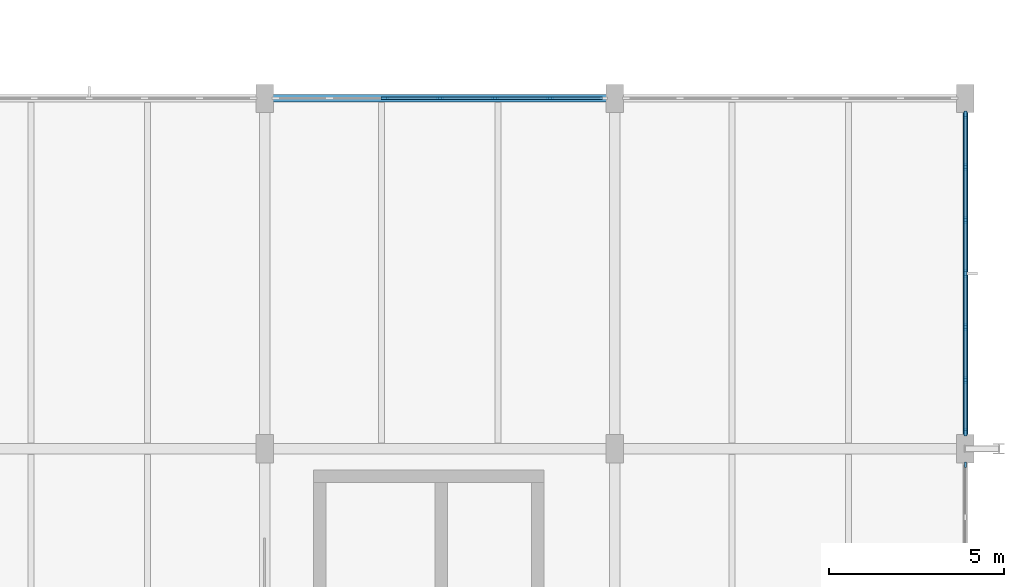
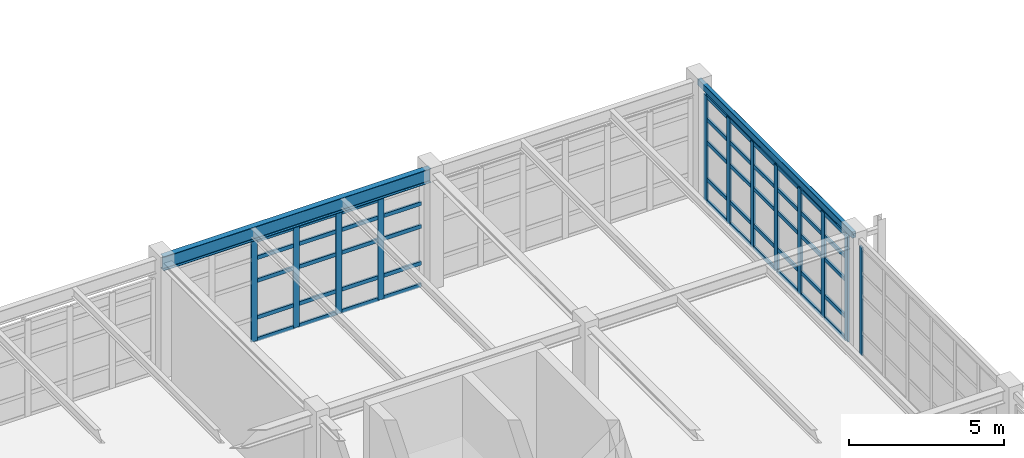
# One storey, part 77 of 139: 61 members, 2 beams, 3 elements without a shape of their own.
"""IFC4 building model written with IfcOpenShell, lengths in metres."""

from ifc_helpers import new_model, si_unit, direction, frame, origin, origin_2d, place, context, subcontext, project, spatial, rectangle, hollow_rectangle, i_section, extrude, material, layer, layer_set, material_profile, profile_set, type_object, element, aggregate, save


model = new_model("IFC4")

# Units and contexts
model_context = context("Model", 3, precision=1e-05, world=origin(), true_north=direction((0.0, 1.0)))
body_context = subcontext(model_context, "Body", "Model", "MODEL_VIEW")
ifc_project = project(units=[si_unit("LENGTHUNIT", "METRE"), si_unit("AREAUNIT", "SQUARE_METRE"), si_unit("VOLUMEUNIT", "CUBIC_METRE"), si_unit("PLANEANGLEUNIT", "RADIAN"), si_unit("MASSUNIT", "GRAM", prefix="KILO"), si_unit("THERMODYNAMICTEMPERATUREUNIT", "KELVIN"), si_unit("POWERUNIT", "WATT")], contexts=[model_context])

# Site, building, storey
site_placement = place(None, origin())
site = spatial("IfcSite", under=ifc_project, at=site_placement, CompositionType="ELEMENT")
building_placement = place(site_placement, origin())
building = spatial("IfcBuilding", under=site, at=building_placement, Name="Korenveer Ferry Terminal", CompositionType="ELEMENT")
storey_placement = place(building_placement, frame((0.0, 0.0, 5.39990234375)))
storey = spatial("IfcBuildingStorey", under=building, at=storey_placement, Name="L01", CompositionType="ELEMENT", Elevation=5.39990234375)

# Curtain wall, member
ifc_material_1 = material(Name="Unitised bronze-and-glass curtain wall", Category="glass")
ifc_layer_1 = layer(ifc_material_1, 0.159912109375)
ifc_layer_set_1 = layer_set([ifc_layer_1], Name="Unitised bronze-and-glass curtain wall")
curtain_wall_type_1 = type_object("IfcCurtainWallType", Name="ENV-CW-81", PredefinedType="USERDEFINED", material=ifc_layer_set_1)
curtain_wall_1_placement = place(storey_placement, frame((176.0, 69.570068359375, 0.0)))
curtain_wall_1 = element("IfcCurtainWall", 1, at=curtain_wall_1_placement, inside=storey, type_object=curtain_wall_type_1, Name="Lancet curtain wall CWX-L01-X176-176-Y60-70", ObjectType="UNITISED CURTAIN WALL", PredefinedType="USERDEFINED")
ifc_material_2 = material(Name="Anodised bronze aluminium", Category="aluminium")
ifc_material_profile_1 = material_profile(ifc_material_2, rectangle(XDim=0.06005859375, YDim=0.159912109375, at=origin_2d()), Name="ALU 60x160")
ifc_profile_set_1 = profile_set([ifc_material_profile_1], Name="Anodised bronze aluminium")
member_type_1 = type_object("IfcMemberType", Name="ENV-CWM-60X160", PredefinedType="MULLION", material=ifc_profile_set_1)
member_1_placement = place(storey_placement, frame((176.0, 69.5400390625, 0.0), z_axis=(0.0, 0.0, 1.0), x_axis=(1.0, 0.0, 0.0)))
member_1 = element("IfcMember", 2, at=member_1_placement, type_object=member_type_1, Name="CW-81 mullion 1", PredefinedType="MULLION", context=body_context, shape_type="SweptSolid", body=[
    extrude(rectangle(XDim=0.06005859375, YDim=0.159912109375, at=origin_2d()), origin(), (0.0, 0.0, 1.0), 4.27001953125),
])
aggregate(curtain_wall_1, [member_1])

# Curtain wall, members
ifc_layer_2 = layer(ifc_material_1, 0.219970703125)
ifc_layer_set_2 = layer_set([ifc_layer_2], Name="Unitised bronze-and-glass curtain wall")
curtain_wall_type_2 = type_object("IfcCurtainWallType", Name="ENV-CW-49", PredefinedType="USERDEFINED", material=ifc_layer_set_2)
curtain_wall_2_placement = place(storey_placement, frame((156.280029296875, 80.0, 0.0)))
curtain_wall_2 = element("IfcCurtainWall", 3, at=curtain_wall_2_placement, inside=storey, type_object=curtain_wall_type_2, Name="Lancet curtain wall CWX-L01-X156-166-Y80-80", ObjectType="UNITISED CURTAIN WALL", PredefinedType="USERDEFINED")
ifc_material_profile_2 = material_profile(ifc_material_2, rectangle(XDim=0.074951171875, YDim=0.219970703125, at=origin_2d()), Name="ALU 75x220")
ifc_profile_set_2 = profile_set([ifc_material_profile_2], Name="Anodised bronze aluminium")
member_type_2 = type_object("IfcMemberType", Name="ENV-CWM-75X220", PredefinedType="MULLION", material=ifc_profile_set_2)
member_2_placement = place(storey_placement, frame((159.4267578125, 80.0, 0.0), z_axis=(0.0, 0.0, 1.0), x_axis=(0.0, 1.0, 0.0)))
member_2 = element("IfcMember", 4, at=member_2_placement, type_object=member_type_2, Name="CW-49 mullion 3", PredefinedType="MULLION", context=body_context, shape_type="SweptSolid", body=[
    extrude(rectangle(XDim=0.074951171875, YDim=0.219970703125, at=origin_2d()), origin(), (0.0, 0.0, 1.0), 3.97021484375),
])
member_3_placement = place(storey_placement, frame((161.0, 80.0, 0.0), z_axis=(0.0, 0.0, 1.0), x_axis=(0.0, 1.0, 0.0)))
member_3 = element("IfcMember", 5, at=member_3_placement, type_object=member_type_2, Name="CW-49 mullion 4", PredefinedType="MULLION", context=body_context, shape_type="SweptSolid", body=[
    extrude(rectangle(XDim=0.074951171875, YDim=0.219970703125, at=origin_2d()), origin(), (0.0, 0.0, 1.0), 3.97021484375),
])
member_4_placement = place(storey_placement, frame((162.5732421875, 80.0, 0.0), z_axis=(0.0, 0.0, 1.0), x_axis=(0.0, 1.0, 0.0)))
member_4 = element("IfcMember", 6, at=member_4_placement, type_object=member_type_2, Name="CW-49 mullion 5", PredefinedType="MULLION", context=body_context, shape_type="SweptSolid", body=[
    extrude(rectangle(XDim=0.074951171875, YDim=0.219970703125, at=origin_2d()), origin(), (0.0, 0.0, 1.0), 3.97021484375),
])
member_5_placement = place(storey_placement, frame((164.146728515625, 80.0, 0.0), z_axis=(0.0, 0.0, 1.0), x_axis=(0.0, 1.0, 0.0)))
member_5 = element("IfcMember", 7, at=member_5_placement, type_object=member_type_2, Name="CW-49 mullion 6", PredefinedType="MULLION", context=body_context, shape_type="SweptSolid", body=[
    extrude(rectangle(XDim=0.074951171875, YDim=0.219970703125, at=origin_2d()), origin(), (0.0, 0.0, 1.0), 3.97021484375),
])

ifc_layer_3 = layer(ifc_material_1, 0.219970703125)
ifc_layer_set_3 = layer_set([ifc_layer_3], Name="Unitised bronze-and-glass curtain wall")
curtain_wall_type_3 = type_object("IfcCurtainWallType", Name="ENV-CW-61", PredefinedType="USERDEFINED", material=ifc_layer_set_3)
curtain_wall_3_placement = place(storey_placement, frame((176.0, 79.570068359375, 0.0)))
curtain_wall_3 = element("IfcCurtainWall", 8, at=curtain_wall_3_placement, inside=storey, type_object=curtain_wall_type_3, Name="Lancet curtain wall CWX-L01-X176-176-Y70-80", ObjectType="UNITISED CURTAIN WALL", PredefinedType="USERDEFINED")
member_6_placement = place(storey_placement, frame((176.0, 79.532470703125, 0.0), z_axis=(0.0, 0.0, 1.0), x_axis=(1.0, 0.0, 0.0)))
member_6 = element("IfcMember", 9, at=member_6_placement, type_object=member_type_2, Name="CW-61 mullion 1", PredefinedType="MULLION", context=body_context, shape_type="SweptSolid", body=[
    extrude(rectangle(XDim=0.074951171875, YDim=0.219970703125, at=origin_2d()), origin(), (0.0, 0.0, 1.0), 4.170166015625),
])
member_7_placement = place(storey_placement, frame((176.0, 78.046630859375, 0.0), z_axis=(0.0, 0.0, 1.0), x_axis=(1.0, 0.0, 0.0)))
member_7 = element("IfcMember", 10, at=member_7_placement, type_object=member_type_2, Name="CW-61 mullion 2", PredefinedType="MULLION", context=body_context, shape_type="SweptSolid", body=[
    extrude(rectangle(XDim=0.074951171875, YDim=0.219970703125, at=origin_2d()), origin(), (0.0, 0.0, 1.0), 4.170166015625),
])
member_8_placement = place(storey_placement, frame((176.0, 76.5234375, 0.0), z_axis=(0.0, 0.0, 1.0), x_axis=(1.0, 0.0, 0.0)))
member_8 = element("IfcMember", 11, at=member_8_placement, type_object=member_type_2, Name="CW-61 mullion 3", PredefinedType="MULLION", context=body_context, shape_type="SweptSolid", body=[
    extrude(rectangle(XDim=0.074951171875, YDim=0.219970703125, at=origin_2d()), origin(), (0.0, 0.0, 1.0), 4.170166015625),
])
member_9_placement = place(storey_placement, frame((176.0, 75.0, 0.0), z_axis=(0.0, 0.0, 1.0), x_axis=(1.0, 0.0, 0.0)))
member_9 = element("IfcMember", 12, at=member_9_placement, type_object=member_type_2, Name="CW-61 mullion 4", PredefinedType="MULLION", context=body_context, shape_type="SweptSolid", body=[
    extrude(rectangle(XDim=0.074951171875, YDim=0.219970703125, at=origin_2d()), origin(), (0.0, 0.0, 1.0), 4.170166015625),
])
member_10_placement = place(storey_placement, frame((176.0, 73.4765625, 0.0), z_axis=(0.0, 0.0, 1.0), x_axis=(1.0, 0.0, 0.0)))
member_10 = element("IfcMember", 13, at=member_10_placement, type_object=member_type_2, Name="CW-61 mullion 5", PredefinedType="MULLION", context=body_context, shape_type="SweptSolid", body=[
    extrude(rectangle(XDim=0.074951171875, YDim=0.219970703125, at=origin_2d()), origin(), (0.0, 0.0, 1.0), 4.170166015625),
])
member_11_placement = place(storey_placement, frame((176.0, 71.953369140625, 0.0), z_axis=(0.0, 0.0, 1.0), x_axis=(1.0, 0.0, 0.0)))
member_11 = element("IfcMember", 14, at=member_11_placement, type_object=member_type_2, Name="CW-61 mullion 6", PredefinedType="MULLION", context=body_context, shape_type="SweptSolid", body=[
    extrude(rectangle(XDim=0.074951171875, YDim=0.219970703125, at=origin_2d()), origin(), (0.0, 0.0, 1.0), 4.170166015625),
])
member_12_placement = place(storey_placement, frame((176.0, 70.467529296875, 0.0), z_axis=(0.0, 0.0, 1.0), x_axis=(1.0, 0.0, 0.0)))
member_12 = element("IfcMember", 15, at=member_12_placement, type_object=member_type_2, Name="CW-61 mullion 7", PredefinedType="MULLION", context=body_context, shape_type="SweptSolid", body=[
    extrude(rectangle(XDim=0.074951171875, YDim=0.219970703125, at=origin_2d()), origin(), (0.0, 0.0, 1.0), 4.170166015625),
])

# Member
ifc_material_profile_3 = material_profile(ifc_material_2, rectangle(XDim=0.074951171875, YDim=0.14990234375, at=origin_2d()), Name="ALU 75x150")
ifc_profile_set_3 = profile_set([ifc_material_profile_3], Name="Anodised bronze aluminium")
member_type_3 = type_object("IfcMemberType", Name="ENV-CWT-75X150", PredefinedType="USERDEFINED", material=ifc_profile_set_3)
member_13_placement = place(storey_placement, frame((159.464111328125, 80.0, 0.03759765625), z_axis=(1.0, 0.0, 0.0), x_axis=(0.0, 1.0, 0.0)))
member_13 = element("IfcMember", 16, at=member_13_placement, type_object=member_type_3, Name="CW-49 transom 3.1", ObjectType="TRANSOM", PredefinedType="USERDEFINED", context=body_context, shape_type="SweptSolid", body=[
    extrude(rectangle(XDim=0.074951171875, YDim=0.14990234375, at=origin_2d()), origin(), (0.0, 0.0, 1.0), 1.498291015625),
])

member_14_placement = place(storey_placement, frame((159.464111328125, 80.0, 0.900146484375), z_axis=(1.0, 0.0, 0.0), x_axis=(0.0, 1.0, 0.0)))
member_14 = element("IfcMember", 17, at=member_14_placement, type_object=member_type_3, Name="CW-49 transom 3.2", ObjectType="TRANSOM", PredefinedType="USERDEFINED", context=body_context, shape_type="SweptSolid", body=[
    extrude(rectangle(XDim=0.074951171875, YDim=0.14990234375, at=origin_2d()), origin(), (0.0, 0.0, 1.0), 1.498291015625),
])

member_15_placement = place(storey_placement, frame((159.464111328125, 80.0, 2.35009765625), z_axis=(1.0, 0.0, 0.0), x_axis=(0.0, 1.0, 0.0)))
member_15 = element("IfcMember", 18, at=member_15_placement, type_object=member_type_3, Name="CW-49 transom 3.3", ObjectType="TRANSOM", PredefinedType="USERDEFINED", context=body_context, shape_type="SweptSolid", body=[
    extrude(rectangle(XDim=0.074951171875, YDim=0.14990234375, at=origin_2d()), origin(), (0.0, 0.0, 1.0), 1.498291015625),
])

member_16_placement = place(storey_placement, frame((159.464111328125, 80.0, 3.25), z_axis=(1.0, 0.0, 0.0), x_axis=(0.0, 1.0, 0.0)))
member_16 = element("IfcMember", 19, at=member_16_placement, type_object=member_type_3, Name="CW-49 transom 3.4", ObjectType="TRANSOM", PredefinedType="USERDEFINED", context=body_context, shape_type="SweptSolid", body=[
    extrude(rectangle(XDim=0.074951171875, YDim=0.14990234375, at=origin_2d()), origin(), (0.0, 0.0, 1.0), 1.498291015625),
])

member_17_placement = place(storey_placement, frame((159.464111328125, 80.0, 3.9326171875), z_axis=(1.0, 0.0, 0.0), x_axis=(0.0, 1.0, 0.0)))
member_17 = element("IfcMember", 20, at=member_17_placement, type_object=member_type_3, Name="CW-49 transom 3.5", ObjectType="TRANSOM", PredefinedType="USERDEFINED", context=body_context, shape_type="SweptSolid", body=[
    extrude(rectangle(XDim=0.074951171875, YDim=0.14990234375, at=origin_2d()), origin(), (0.0, 0.0, 1.0), 1.498291015625),
])

member_18_placement = place(storey_placement, frame((161.03759765625, 80.0, 0.03759765625), z_axis=(1.0, 0.0, 0.0), x_axis=(0.0, 1.0, 0.0)))
member_18 = element("IfcMember", 21, at=member_18_placement, type_object=member_type_3, Name="CW-49 transom 4.1", ObjectType="TRANSOM", PredefinedType="USERDEFINED", context=body_context, shape_type="SweptSolid", body=[
    extrude(rectangle(XDim=0.074951171875, YDim=0.14990234375, at=origin_2d()), origin(), (0.0, 0.0, 1.0), 1.498291015625),
])

member_19_placement = place(storey_placement, frame((161.03759765625, 80.0, 0.900146484375), z_axis=(1.0, 0.0, 0.0), x_axis=(0.0, 1.0, 0.0)))
member_19 = element("IfcMember", 22, at=member_19_placement, type_object=member_type_3, Name="CW-49 transom 4.2", ObjectType="TRANSOM", PredefinedType="USERDEFINED", context=body_context, shape_type="SweptSolid", body=[
    extrude(rectangle(XDim=0.074951171875, YDim=0.14990234375, at=origin_2d()), origin(), (0.0, 0.0, 1.0), 1.498291015625),
])

member_20_placement = place(storey_placement, frame((161.03759765625, 80.0, 2.35009765625), z_axis=(1.0, 0.0, 0.0), x_axis=(0.0, 1.0, 0.0)))
member_20 = element("IfcMember", 23, at=member_20_placement, type_object=member_type_3, Name="CW-49 transom 4.3", ObjectType="TRANSOM", PredefinedType="USERDEFINED", context=body_context, shape_type="SweptSolid", body=[
    extrude(rectangle(XDim=0.074951171875, YDim=0.14990234375, at=origin_2d()), origin(), (0.0, 0.0, 1.0), 1.498291015625),
])

member_21_placement = place(storey_placement, frame((161.03759765625, 80.0, 3.25), z_axis=(1.0, 0.0, 0.0), x_axis=(0.0, 1.0, 0.0)))
member_21 = element("IfcMember", 24, at=member_21_placement, type_object=member_type_3, Name="CW-49 transom 4.4", ObjectType="TRANSOM", PredefinedType="USERDEFINED", context=body_context, shape_type="SweptSolid", body=[
    extrude(rectangle(XDim=0.074951171875, YDim=0.14990234375, at=origin_2d()), origin(), (0.0, 0.0, 1.0), 1.498291015625),
])

member_22_placement = place(storey_placement, frame((161.03759765625, 80.0, 3.9326171875), z_axis=(1.0, 0.0, 0.0), x_axis=(0.0, 1.0, 0.0)))
member_22 = element("IfcMember", 25, at=member_22_placement, type_object=member_type_3, Name="CW-49 transom 4.5", ObjectType="TRANSOM", PredefinedType="USERDEFINED", context=body_context, shape_type="SweptSolid", body=[
    extrude(rectangle(XDim=0.074951171875, YDim=0.14990234375, at=origin_2d()), origin(), (0.0, 0.0, 1.0), 1.498291015625),
])

member_23_placement = place(storey_placement, frame((162.61083984375, 80.0, 0.03759765625), z_axis=(1.0, 0.0, 0.0), x_axis=(0.0, 1.0, 0.0)))
member_23 = element("IfcMember", 26, at=member_23_placement, type_object=member_type_3, Name="CW-49 transom 5.1", ObjectType="TRANSOM", PredefinedType="USERDEFINED", context=body_context, shape_type="SweptSolid", body=[
    extrude(rectangle(XDim=0.074951171875, YDim=0.14990234375, at=origin_2d()), origin(), (0.0, 0.0, 1.0), 1.498291015625),
])

member_24_placement = place(storey_placement, frame((162.61083984375, 80.0, 0.900146484375), z_axis=(1.0, 0.0, 0.0), x_axis=(0.0, 1.0, 0.0)))
member_24 = element("IfcMember", 27, at=member_24_placement, type_object=member_type_3, Name="CW-49 transom 5.2", ObjectType="TRANSOM", PredefinedType="USERDEFINED", context=body_context, shape_type="SweptSolid", body=[
    extrude(rectangle(XDim=0.074951171875, YDim=0.14990234375, at=origin_2d()), origin(), (0.0, 0.0, 1.0), 1.498291015625),
])

member_25_placement = place(storey_placement, frame((162.61083984375, 80.0, 2.35009765625), z_axis=(1.0, 0.0, 0.0), x_axis=(0.0, 1.0, 0.0)))
member_25 = element("IfcMember", 28, at=member_25_placement, type_object=member_type_3, Name="CW-49 transom 5.3", ObjectType="TRANSOM", PredefinedType="USERDEFINED", context=body_context, shape_type="SweptSolid", body=[
    extrude(rectangle(XDim=0.074951171875, YDim=0.14990234375, at=origin_2d()), origin(), (0.0, 0.0, 1.0), 1.498291015625),
])

member_26_placement = place(storey_placement, frame((162.61083984375, 80.0, 3.25), z_axis=(1.0, 0.0, 0.0), x_axis=(0.0, 1.0, 0.0)))
member_26 = element("IfcMember", 29, at=member_26_placement, type_object=member_type_3, Name="CW-49 transom 5.4", ObjectType="TRANSOM", PredefinedType="USERDEFINED", context=body_context, shape_type="SweptSolid", body=[
    extrude(rectangle(XDim=0.074951171875, YDim=0.14990234375, at=origin_2d()), origin(), (0.0, 0.0, 1.0), 1.498291015625),
])

member_27_placement = place(storey_placement, frame((162.61083984375, 80.0, 3.9326171875), z_axis=(1.0, 0.0, 0.0), x_axis=(0.0, 1.0, 0.0)))
member_27 = element("IfcMember", 30, at=member_27_placement, type_object=member_type_3, Name="CW-49 transom 5.5", ObjectType="TRANSOM", PredefinedType="USERDEFINED", context=body_context, shape_type="SweptSolid", body=[
    extrude(rectangle(XDim=0.074951171875, YDim=0.14990234375, at=origin_2d()), origin(), (0.0, 0.0, 1.0), 1.498291015625),
])

member_28_placement = place(storey_placement, frame((164.18408203125, 80.0, 0.03759765625), z_axis=(1.0, 0.0, 0.0), x_axis=(0.0, 1.0, 0.0)))
member_28 = element("IfcMember", 31, at=member_28_placement, type_object=member_type_3, Name="CW-49 transom 6.1", ObjectType="TRANSOM", PredefinedType="USERDEFINED", context=body_context, shape_type="SweptSolid", body=[
    extrude(rectangle(XDim=0.074951171875, YDim=0.14990234375, at=origin_2d()), origin(), (0.0, 0.0, 1.0), 1.4609375),
])

member_29_placement = place(storey_placement, frame((164.18408203125, 80.0, 0.900146484375), z_axis=(1.0, 0.0, 0.0), x_axis=(0.0, 1.0, 0.0)))
member_29 = element("IfcMember", 32, at=member_29_placement, type_object=member_type_3, Name="CW-49 transom 6.2", ObjectType="TRANSOM", PredefinedType="USERDEFINED", context=body_context, shape_type="SweptSolid", body=[
    extrude(rectangle(XDim=0.074951171875, YDim=0.14990234375, at=origin_2d()), origin(), (0.0, 0.0, 1.0), 1.4609375),
])

member_30_placement = place(storey_placement, frame((164.18408203125, 80.0, 2.35009765625), z_axis=(1.0, 0.0, 0.0), x_axis=(0.0, 1.0, 0.0)))
member_30 = element("IfcMember", 33, at=member_30_placement, type_object=member_type_3, Name="CW-49 transom 6.3", ObjectType="TRANSOM", PredefinedType="USERDEFINED", context=body_context, shape_type="SweptSolid", body=[
    extrude(rectangle(XDim=0.074951171875, YDim=0.14990234375, at=origin_2d()), origin(), (0.0, 0.0, 1.0), 1.4609375),
])

member_31_placement = place(storey_placement, frame((164.18408203125, 80.0, 3.25), z_axis=(1.0, 0.0, 0.0), x_axis=(0.0, 1.0, 0.0)))
member_31 = element("IfcMember", 34, at=member_31_placement, type_object=member_type_3, Name="CW-49 transom 6.4", ObjectType="TRANSOM", PredefinedType="USERDEFINED", context=body_context, shape_type="SweptSolid", body=[
    extrude(rectangle(XDim=0.074951171875, YDim=0.14990234375, at=origin_2d()), origin(), (0.0, 0.0, 1.0), 1.4609375),
])

aggregate(curtain_wall_2, [member_2, member_3, member_4, member_5, member_13, member_14, member_15, member_16, member_17, member_18, member_19, member_20, member_21, member_22, member_23, member_24, member_25, member_26, member_27, member_28, member_29, member_30, member_31])

member_32_placement = place(storey_placement, frame((176.0, 79.4951171875, 0.03759765625), z_axis=(0.0, -1.0, 0.0), x_axis=(1.0, 0.0, 0.0)))
member_32 = element("IfcMember", 35, at=member_32_placement, type_object=member_type_3, Name="CW-61 transom 1.1", ObjectType="TRANSOM", PredefinedType="USERDEFINED", context=body_context, shape_type="SweptSolid", body=[
    extrude(rectangle(XDim=0.074951171875, YDim=0.14990234375, at=origin_2d()), origin(), (0.0, 0.0, 1.0), 1.410888671875),
])

member_33_placement = place(storey_placement, frame((176.0, 79.4951171875, 0.900146484375), z_axis=(0.0, -1.0, 0.0), x_axis=(1.0, 0.0, 0.0)))
member_33 = element("IfcMember", 36, at=member_33_placement, type_object=member_type_3, Name="CW-61 transom 1.2", ObjectType="TRANSOM", PredefinedType="USERDEFINED", context=body_context, shape_type="SweptSolid", body=[
    extrude(rectangle(XDim=0.074951171875, YDim=0.14990234375, at=origin_2d()), origin(), (0.0, 0.0, 1.0), 1.410888671875),
])

member_34_placement = place(storey_placement, frame((176.0, 79.4951171875, 2.35009765625), z_axis=(0.0, -1.0, 0.0), x_axis=(1.0, 0.0, 0.0)))
member_34 = element("IfcMember", 37, at=member_34_placement, type_object=member_type_3, Name="CW-61 transom 1.3", ObjectType="TRANSOM", PredefinedType="USERDEFINED", context=body_context, shape_type="SweptSolid", body=[
    extrude(rectangle(XDim=0.074951171875, YDim=0.14990234375, at=origin_2d()), origin(), (0.0, 0.0, 1.0), 1.410888671875),
])

member_35_placement = place(storey_placement, frame((176.0, 79.4951171875, 3.25), z_axis=(0.0, -1.0, 0.0), x_axis=(1.0, 0.0, 0.0)))
member_35 = element("IfcMember", 38, at=member_35_placement, type_object=member_type_3, Name="CW-61 transom 1.4", ObjectType="TRANSOM", PredefinedType="USERDEFINED", context=body_context, shape_type="SweptSolid", body=[
    extrude(rectangle(XDim=0.074951171875, YDim=0.14990234375, at=origin_2d()), origin(), (0.0, 0.0, 1.0), 1.410888671875),
])

member_36_placement = place(storey_placement, frame((176.0, 79.4951171875, 4.132568359375), z_axis=(0.0, -1.0, 0.0), x_axis=(1.0, 0.0, 0.0)))
member_36 = element("IfcMember", 39, at=member_36_placement, type_object=member_type_3, Name="CW-61 transom 1.5", ObjectType="TRANSOM", PredefinedType="USERDEFINED", context=body_context, shape_type="SweptSolid", body=[
    extrude(rectangle(XDim=0.074951171875, YDim=0.14990234375, at=origin_2d()), origin(), (0.0, 0.0, 1.0), 1.410888671875),
])

member_37_placement = place(storey_placement, frame((176.0, 78.00927734375, 0.03759765625), z_axis=(0.0, -1.0, 0.0), x_axis=(1.0, 0.0, 0.0)))
member_37 = element("IfcMember", 40, at=member_37_placement, type_object=member_type_3, Name="CW-61 transom 2.1", ObjectType="TRANSOM", PredefinedType="USERDEFINED", context=body_context, shape_type="SweptSolid", body=[
    extrude(rectangle(XDim=0.074951171875, YDim=0.14990234375, at=origin_2d()), origin(), (0.0, 0.0, 1.0), 1.448486328125),
])

member_38_placement = place(storey_placement, frame((176.0, 78.00927734375, 0.900146484375), z_axis=(0.0, -1.0, 0.0), x_axis=(1.0, 0.0, 0.0)))
member_38 = element("IfcMember", 41, at=member_38_placement, type_object=member_type_3, Name="CW-61 transom 2.2", ObjectType="TRANSOM", PredefinedType="USERDEFINED", context=body_context, shape_type="SweptSolid", body=[
    extrude(rectangle(XDim=0.074951171875, YDim=0.14990234375, at=origin_2d()), origin(), (0.0, 0.0, 1.0), 1.448486328125),
])

member_39_placement = place(storey_placement, frame((176.0, 78.00927734375, 2.35009765625), z_axis=(0.0, -1.0, 0.0), x_axis=(1.0, 0.0, 0.0)))
member_39 = element("IfcMember", 42, at=member_39_placement, type_object=member_type_3, Name="CW-61 transom 2.3", ObjectType="TRANSOM", PredefinedType="USERDEFINED", context=body_context, shape_type="SweptSolid", body=[
    extrude(rectangle(XDim=0.074951171875, YDim=0.14990234375, at=origin_2d()), origin(), (0.0, 0.0, 1.0), 1.448486328125),
])

member_40_placement = place(storey_placement, frame((176.0, 78.00927734375, 3.25), z_axis=(0.0, -1.0, 0.0), x_axis=(1.0, 0.0, 0.0)))
member_40 = element("IfcMember", 43, at=member_40_placement, type_object=member_type_3, Name="CW-61 transom 2.4", ObjectType="TRANSOM", PredefinedType="USERDEFINED", context=body_context, shape_type="SweptSolid", body=[
    extrude(rectangle(XDim=0.074951171875, YDim=0.14990234375, at=origin_2d()), origin(), (0.0, 0.0, 1.0), 1.448486328125),
])

member_41_placement = place(storey_placement, frame((176.0, 78.00927734375, 4.132568359375), z_axis=(0.0, -1.0, 0.0), x_axis=(1.0, 0.0, 0.0)))
member_41 = element("IfcMember", 44, at=member_41_placement, type_object=member_type_3, Name="CW-61 transom 2.5", ObjectType="TRANSOM", PredefinedType="USERDEFINED", context=body_context, shape_type="SweptSolid", body=[
    extrude(rectangle(XDim=0.074951171875, YDim=0.14990234375, at=origin_2d()), origin(), (0.0, 0.0, 1.0), 1.448486328125),
])

member_42_placement = place(storey_placement, frame((176.0, 76.48583984375, 0.03759765625), z_axis=(0.0, -1.0, 0.0), x_axis=(1.0, 0.0, 0.0)))
member_42 = element("IfcMember", 45, at=member_42_placement, type_object=member_type_3, Name="CW-61 transom 3.1", ObjectType="TRANSOM", PredefinedType="USERDEFINED", context=body_context, shape_type="SweptSolid", body=[
    extrude(rectangle(XDim=0.074951171875, YDim=0.14990234375, at=origin_2d()), origin(), (0.0, 0.0, 1.0), 1.4482421875),
])

member_43_placement = place(storey_placement, frame((176.0, 76.48583984375, 0.900146484375), z_axis=(0.0, -1.0, 0.0), x_axis=(1.0, 0.0, 0.0)))
member_43 = element("IfcMember", 46, at=member_43_placement, type_object=member_type_3, Name="CW-61 transom 3.2", ObjectType="TRANSOM", PredefinedType="USERDEFINED", context=body_context, shape_type="SweptSolid", body=[
    extrude(rectangle(XDim=0.074951171875, YDim=0.14990234375, at=origin_2d()), origin(), (0.0, 0.0, 1.0), 1.4482421875),
])

member_44_placement = place(storey_placement, frame((176.0, 76.48583984375, 2.35009765625), z_axis=(0.0, -1.0, 0.0), x_axis=(1.0, 0.0, 0.0)))
member_44 = element("IfcMember", 47, at=member_44_placement, type_object=member_type_3, Name="CW-61 transom 3.3", ObjectType="TRANSOM", PredefinedType="USERDEFINED", context=body_context, shape_type="SweptSolid", body=[
    extrude(rectangle(XDim=0.074951171875, YDim=0.14990234375, at=origin_2d()), origin(), (0.0, 0.0, 1.0), 1.4482421875),
])

member_45_placement = place(storey_placement, frame((176.0, 76.48583984375, 3.25), z_axis=(0.0, -1.0, 0.0), x_axis=(1.0, 0.0, 0.0)))
member_45 = element("IfcMember", 48, at=member_45_placement, type_object=member_type_3, Name="CW-61 transom 3.4", ObjectType="TRANSOM", PredefinedType="USERDEFINED", context=body_context, shape_type="SweptSolid", body=[
    extrude(rectangle(XDim=0.074951171875, YDim=0.14990234375, at=origin_2d()), origin(), (0.0, 0.0, 1.0), 1.4482421875),
])

member_46_placement = place(storey_placement, frame((176.0, 76.48583984375, 4.132568359375), z_axis=(0.0, -1.0, 0.0), x_axis=(1.0, 0.0, 0.0)))
member_46 = element("IfcMember", 49, at=member_46_placement, type_object=member_type_3, Name="CW-61 transom 3.5", ObjectType="TRANSOM", PredefinedType="USERDEFINED", context=body_context, shape_type="SweptSolid", body=[
    extrude(rectangle(XDim=0.074951171875, YDim=0.14990234375, at=origin_2d()), origin(), (0.0, 0.0, 1.0), 1.4482421875),
])

member_47_placement = place(storey_placement, frame((176.0, 74.96240234375, 0.03759765625), z_axis=(0.0, -1.0, 0.0), x_axis=(1.0, 0.0, 0.0)))
member_47 = element("IfcMember", 50, at=member_47_placement, type_object=member_type_3, Name="CW-61 transom 4.1", ObjectType="TRANSOM", PredefinedType="USERDEFINED", context=body_context, shape_type="SweptSolid", body=[
    extrude(rectangle(XDim=0.074951171875, YDim=0.14990234375, at=origin_2d()), origin(), (0.0, 0.0, 1.0), 1.4482421875),
])

member_48_placement = place(storey_placement, frame((176.0, 74.96240234375, 0.900146484375), z_axis=(0.0, -1.0, 0.0), x_axis=(1.0, 0.0, 0.0)))
member_48 = element("IfcMember", 51, at=member_48_placement, type_object=member_type_3, Name="CW-61 transom 4.2", ObjectType="TRANSOM", PredefinedType="USERDEFINED", context=body_context, shape_type="SweptSolid", body=[
    extrude(rectangle(XDim=0.074951171875, YDim=0.14990234375, at=origin_2d()), origin(), (0.0, 0.0, 1.0), 1.4482421875),
])

member_49_placement = place(storey_placement, frame((176.0, 74.96240234375, 2.35009765625), z_axis=(0.0, -1.0, 0.0), x_axis=(1.0, 0.0, 0.0)))
member_49 = element("IfcMember", 52, at=member_49_placement, type_object=member_type_3, Name="CW-61 transom 4.3", ObjectType="TRANSOM", PredefinedType="USERDEFINED", context=body_context, shape_type="SweptSolid", body=[
    extrude(rectangle(XDim=0.074951171875, YDim=0.14990234375, at=origin_2d()), origin(), (0.0, 0.0, 1.0), 1.4482421875),
])

member_50_placement = place(storey_placement, frame((176.0, 74.96240234375, 3.25), z_axis=(0.0, -1.0, 0.0), x_axis=(1.0, 0.0, 0.0)))
member_50 = element("IfcMember", 53, at=member_50_placement, type_object=member_type_3, Name="CW-61 transom 4.4", ObjectType="TRANSOM", PredefinedType="USERDEFINED", context=body_context, shape_type="SweptSolid", body=[
    extrude(rectangle(XDim=0.074951171875, YDim=0.14990234375, at=origin_2d()), origin(), (0.0, 0.0, 1.0), 1.4482421875),
])

member_51_placement = place(storey_placement, frame((176.0, 74.96240234375, 4.132568359375), z_axis=(0.0, -1.0, 0.0), x_axis=(1.0, 0.0, 0.0)))
member_51 = element("IfcMember", 54, at=member_51_placement, type_object=member_type_3, Name="CW-61 transom 4.5", ObjectType="TRANSOM", PredefinedType="USERDEFINED", context=body_context, shape_type="SweptSolid", body=[
    extrude(rectangle(XDim=0.074951171875, YDim=0.14990234375, at=origin_2d()), origin(), (0.0, 0.0, 1.0), 1.4482421875),
])

member_52_placement = place(storey_placement, frame((176.0, 73.439208984375, 0.03759765625), z_axis=(0.0, -1.0, 0.0), x_axis=(1.0, 0.0, 0.0)))
member_52 = element("IfcMember", 55, at=member_52_placement, type_object=member_type_3, Name="CW-61 transom 5.1", ObjectType="TRANSOM", PredefinedType="USERDEFINED", context=body_context, shape_type="SweptSolid", body=[
    extrude(rectangle(XDim=0.074951171875, YDim=0.14990234375, at=origin_2d()), origin(), (0.0, 0.0, 1.0), 1.448486328125),
])

member_53_placement = place(storey_placement, frame((176.0, 73.439208984375, 0.900146484375), z_axis=(0.0, -1.0, 0.0), x_axis=(1.0, 0.0, 0.0)))
member_53 = element("IfcMember", 56, at=member_53_placement, type_object=member_type_3, Name="CW-61 transom 5.2", ObjectType="TRANSOM", PredefinedType="USERDEFINED", context=body_context, shape_type="SweptSolid", body=[
    extrude(rectangle(XDim=0.074951171875, YDim=0.14990234375, at=origin_2d()), origin(), (0.0, 0.0, 1.0), 1.448486328125),
])

member_54_placement = place(storey_placement, frame((176.0, 73.439208984375, 2.35009765625), z_axis=(0.0, -1.0, 0.0), x_axis=(1.0, 0.0, 0.0)))
member_54 = element("IfcMember", 57, at=member_54_placement, type_object=member_type_3, Name="CW-61 transom 5.3", ObjectType="TRANSOM", PredefinedType="USERDEFINED", context=body_context, shape_type="SweptSolid", body=[
    extrude(rectangle(XDim=0.074951171875, YDim=0.14990234375, at=origin_2d()), origin(), (0.0, 0.0, 1.0), 1.448486328125),
])

member_55_placement = place(storey_placement, frame((176.0, 73.439208984375, 3.25), z_axis=(0.0, -1.0, 0.0), x_axis=(1.0, 0.0, 0.0)))
member_55 = element("IfcMember", 58, at=member_55_placement, type_object=member_type_3, Name="CW-61 transom 5.4", ObjectType="TRANSOM", PredefinedType="USERDEFINED", context=body_context, shape_type="SweptSolid", body=[
    extrude(rectangle(XDim=0.074951171875, YDim=0.14990234375, at=origin_2d()), origin(), (0.0, 0.0, 1.0), 1.448486328125),
])

member_56_placement = place(storey_placement, frame((176.0, 73.439208984375, 4.132568359375), z_axis=(0.0, -1.0, 0.0), x_axis=(1.0, 0.0, 0.0)))
member_56 = element("IfcMember", 59, at=member_56_placement, type_object=member_type_3, Name="CW-61 transom 5.5", ObjectType="TRANSOM", PredefinedType="USERDEFINED", context=body_context, shape_type="SweptSolid", body=[
    extrude(rectangle(XDim=0.074951171875, YDim=0.14990234375, at=origin_2d()), origin(), (0.0, 0.0, 1.0), 1.448486328125),
])

member_57_placement = place(storey_placement, frame((176.0, 71.915771484375, 0.03759765625), z_axis=(0.0, -1.0, 0.0), x_axis=(1.0, 0.0, 0.0)))
member_57 = element("IfcMember", 60, at=member_57_placement, type_object=member_type_3, Name="CW-61 transom 6.1", ObjectType="TRANSOM", PredefinedType="USERDEFINED", context=body_context, shape_type="SweptSolid", body=[
    extrude(rectangle(XDim=0.074951171875, YDim=0.14990234375, at=origin_2d()), origin(), (0.0, 0.0, 1.0), 1.410888671875),
])

member_58_placement = place(storey_placement, frame((176.0, 71.915771484375, 0.900146484375), z_axis=(0.0, -1.0, 0.0), x_axis=(1.0, 0.0, 0.0)))
member_58 = element("IfcMember", 61, at=member_58_placement, type_object=member_type_3, Name="CW-61 transom 6.2", ObjectType="TRANSOM", PredefinedType="USERDEFINED", context=body_context, shape_type="SweptSolid", body=[
    extrude(rectangle(XDim=0.074951171875, YDim=0.14990234375, at=origin_2d()), origin(), (0.0, 0.0, 1.0), 1.410888671875),
])

member_59_placement = place(storey_placement, frame((176.0, 71.915771484375, 2.35009765625), z_axis=(0.0, -1.0, 0.0), x_axis=(1.0, 0.0, 0.0)))
member_59 = element("IfcMember", 62, at=member_59_placement, type_object=member_type_3, Name="CW-61 transom 6.3", ObjectType="TRANSOM", PredefinedType="USERDEFINED", context=body_context, shape_type="SweptSolid", body=[
    extrude(rectangle(XDim=0.074951171875, YDim=0.14990234375, at=origin_2d()), origin(), (0.0, 0.0, 1.0), 1.410888671875),
])

member_60_placement = place(storey_placement, frame((176.0, 71.915771484375, 3.25), z_axis=(0.0, -1.0, 0.0), x_axis=(1.0, 0.0, 0.0)))
member_60 = element("IfcMember", 63, at=member_60_placement, type_object=member_type_3, Name="CW-61 transom 6.4", ObjectType="TRANSOM", PredefinedType="USERDEFINED", context=body_context, shape_type="SweptSolid", body=[
    extrude(rectangle(XDim=0.074951171875, YDim=0.14990234375, at=origin_2d()), origin(), (0.0, 0.0, 1.0), 1.410888671875),
])

member_61_placement = place(storey_placement, frame((176.0, 71.915771484375, 4.132568359375), z_axis=(0.0, -1.0, 0.0), x_axis=(1.0, 0.0, 0.0)))
member_61 = element("IfcMember", 64, at=member_61_placement, type_object=member_type_3, Name="CW-61 transom 6.5", ObjectType="TRANSOM", PredefinedType="USERDEFINED", context=body_context, shape_type="SweptSolid", body=[
    extrude(rectangle(XDim=0.074951171875, YDim=0.14990234375, at=origin_2d()), origin(), (0.0, 0.0, 1.0), 1.410888671875),
])

aggregate(curtain_wall_3, [member_6, member_7, member_8, member_9, member_10, member_11, member_12, member_32, member_33, member_34, member_35, member_36, member_37, member_38, member_39, member_40, member_41, member_42, member_43, member_44, member_45, member_46, member_47, member_48, member_49, member_50, member_51, member_52, member_53, member_54, member_55, member_56, member_57, member_58, member_59, member_60, member_61])

# Beams
ifc_material_3 = material(Name="Steel S355", Category="steel")
ifc_material_profile_4 = material_profile(ifc_material_3, i_section(OverallWidth=0.2099609375, OverallDepth=0.550048828125, WebThickness=0.010986328125, FlangeThickness=0.01708984375, FilletRadius=0.02392578125, at=origin_2d()), Name="IPE 550")
ifc_profile_set_4 = profile_set([ifc_material_profile_4], Name="Steel S355")
beam_type_1 = type_object("IfcBeamType", Name="STR-BM-IPE550", PredefinedType="BEAM", material=ifc_profile_set_4)
beam_1_placement = place(storey_placement, frame((156.02001953125, 80.0, 4.275146484375), z_axis=(1.0, 0.0, 0.0), x_axis=(0.0, 1.0, 0.0)))
element("IfcBeam", 65, at=beam_1_placement, inside=storey, type_object=beam_type_1, Name="Primary X girder BMX-L02-X156-166-Y80", PredefinedType="BEAM", context=body_context, shape_type="SweptSolid", body=[
    extrude(i_section(OverallWidth=0.2099609375, OverallDepth=0.550048828125, WebThickness=0.010986328125, FlangeThickness=0.01708984375, FilletRadius=0.02392578125, at=origin_2d()), origin(), (0.0, 0.0, 1.0), 9.9599609375),
])
ifc_material_profile_5 = material_profile(ifc_material_3, hollow_rectangle(XDim=0.14990234375, YDim=0.25, WallThickness=0.010009765625, InnerFilletRadius=0.010009765625, OuterFilletRadius=0.014892578125, at=origin_2d()), Name="RHS 250x150x10")
ifc_profile_set_5 = profile_set([ifc_material_profile_5], Name="Steel S355")
beam_type_2 = type_object("IfcBeamType", Name="STR-SPD-RHS250", PredefinedType="SPANDREL", material=ifc_profile_set_5)
beam_2_placement = place(storey_placement, frame((176.0, 70.02001953125, 4.425048828125), z_axis=(0.0, 1.0, 0.0), x_axis=(-1.0, 0.0, 0.0)))
element("IfcBeam", 66, at=beam_2_placement, inside=storey, type_object=beam_type_2, Name="Primary Y girder BMY-L02-X176-Y70-80", PredefinedType="SPANDREL", context=body_context, shape_type="SweptSolid", body=[
    extrude(hollow_rectangle(XDim=0.14990234375, YDim=0.25, WallThickness=0.010009765625, InnerFilletRadius=0.010009765625, OuterFilletRadius=0.014892578125, at=origin_2d()), origin(), (0.0, 0.0, 1.0), 9.9599609375),
])

save(model, "model.ifc")
